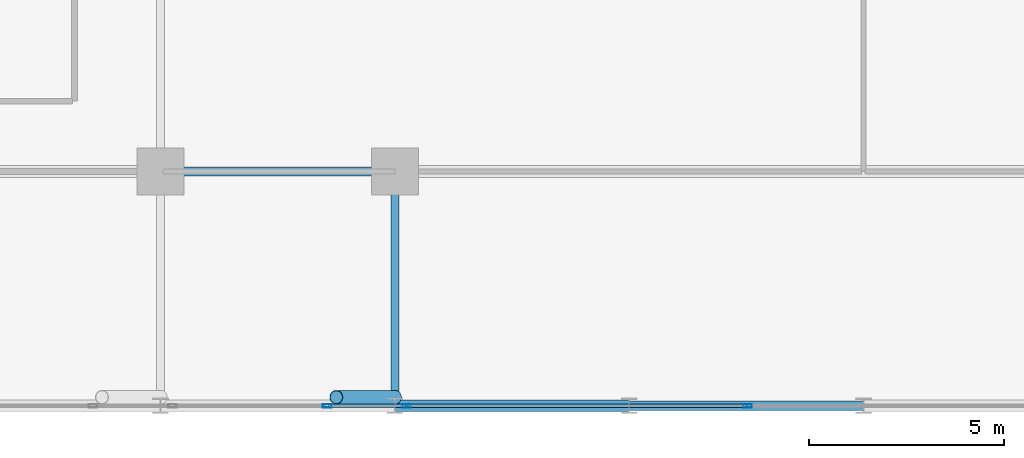
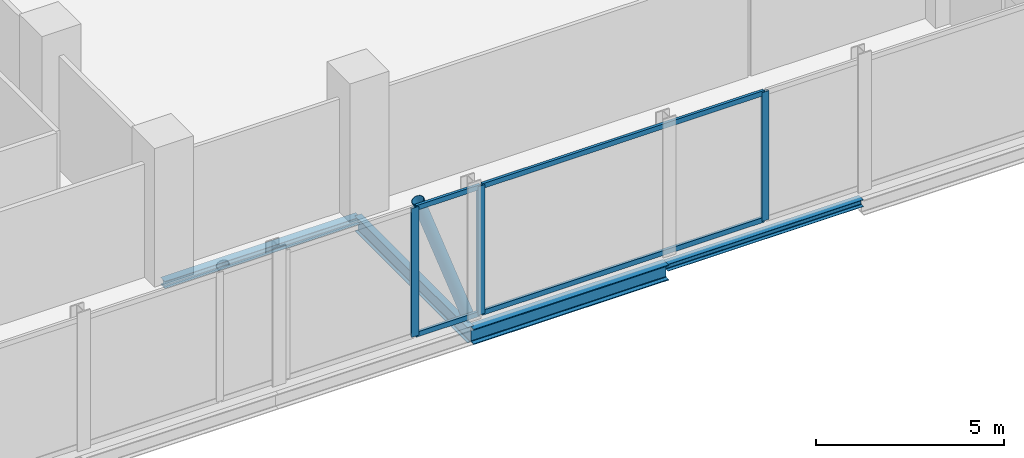
# One storey, part 8 of 30: 8 members, 4 beams, 2 elements without a shape of their own.
"""IFC4 building model written with IfcOpenShell, lengths in metres."""

from ifc_helpers import new_model, si_unit, direction, frame, origin, origin_2d, place, context, subcontext, project, spatial, hollow_rectangle, hollow_circle, i_section, extrude, material, layer, layer_set, material_profile, profile_set, type_object, element, aggregate, save


model = new_model("IFC4")

# Units and contexts
model_context = context("Model", 3, precision=1e-05, world=origin(), true_north=direction((0.0, 1.0)))
body_context = subcontext(model_context, "Body", "Model", "MODEL_VIEW")
ifc_project = project(units=[si_unit("LENGTHUNIT", "METRE"), si_unit("AREAUNIT", "SQUARE_METRE"), si_unit("VOLUMEUNIT", "CUBIC_METRE"), si_unit("PLANEANGLEUNIT", "RADIAN"), si_unit("MASSUNIT", "GRAM", prefix="KILO")], contexts=[model_context])

# Site, building, storey
site_placement = place(None, origin())
site = spatial("IfcSite", under=ifc_project, at=site_placement, CompositionType="ELEMENT")
building_placement = place(site_placement, origin())
building = spatial("IfcBuilding", under=site, at=building_placement, Name="Keshet Zoharim Tower", CompositionType="ELEMENT")
storey_placement = place(building_placement, frame((0.0, 0.0, 65.60009765625)))
storey = spatial("IfcBuildingStorey", under=building, at=storey_placement, Name="L15", CompositionType="ELEMENT", Elevation=65.60009765625)

# Beams
ifc_material_1 = material(Name="Steel S355", Category="steel")
ifc_material_profile_1 = material_profile(ifc_material_1, i_section(OverallWidth=0.239990234375, OverallDepth=0.22998046875, WebThickness=0.007568359375, FlangeThickness=0.011962890625, FilletRadius=0.02099609375, at=origin_2d()), Name="HEA240")
ifc_profile_set_1 = profile_set([ifc_material_profile_1], Name="Steel S355")
beam_type_1 = type_object("IfcBeamType", Name="BM-LNT-HA240", PredefinedType="LINTEL", material=ifc_profile_set_1)
for number, where, z_axis, x_axis, name in (
    (1, (45.0, 0.699951171875, -0.43505859375), (1.0, 0.0, 0.0), (0.0, 1.0, 0.0), "L15 Primary Girder X-004"),
    (2, (33.0, 6.699951171875, -0.43505859375), (1.0, 0.0, 0.0), (0.0, 1.0, 0.0), "L15 Primary Girder X-008"),
):
    element("IfcBeam", number, at=place(storey_placement, frame(where, z_axis=z_axis, x_axis=x_axis)), inside=storey, type_object=beam_type_1, Name=name, PredefinedType="LINTEL", context=body_context, shape_type="SweptSolid", body=[
        extrude(i_section(OverallWidth=0.239990234375, OverallDepth=0.22998046875, WebThickness=0.007568359375, FlangeThickness=0.011962890625, FilletRadius=0.02099609375, at=origin_2d()), origin(), (0.0, 0.0, 1.0), 6.0),
    ])
ifc_material_profile_2 = material_profile(ifc_material_1, i_section(OverallWidth=0.199951171875, OverallDepth=0.5, WebThickness=0.01025390625, FlangeThickness=0.01611328125, FilletRadius=0.02099609375, at=origin_2d()), Name="IPE500")
ifc_profile_set_2 = profile_set([ifc_material_profile_2], Name="Steel S355")
beam_type_2 = type_object("IfcBeamType", Name="BM-PRI-IP500", PredefinedType="BEAM", material=ifc_profile_set_2)
beam_1_placement = place(storey_placement, frame((39.0, 0.699951171875, -0.570068359375), z_axis=(0.0, 1.0, 0.0), x_axis=(-1.0, 0.0, 0.0)))
element("IfcBeam", 3, at=beam_1_placement, inside=storey, type_object=beam_type_2, Name="L15 Primary Girder Y-012", PredefinedType="BEAM", context=body_context, shape_type="SweptSolid", body=[
    extrude(i_section(OverallWidth=0.199951171875, OverallDepth=0.5, WebThickness=0.01025390625, FlangeThickness=0.01611328125, FilletRadius=0.02099609375, at=origin_2d()), origin(), (0.0, 0.0, 1.0), 6.0),
])
ifc_material_profile_3 = material_profile(ifc_material_1, i_section(OverallWidth=0.300048828125, OverallDepth=0.5, WebThickness=0.014404296875, FlangeThickness=0.028076171875, FilletRadius=0.027099609375, at=origin_2d()), Name="HEB500")
ifc_profile_set_3 = profile_set([ifc_material_profile_3], Name="Steel S355")
beam_type_3 = type_object("IfcBeamType", Name="BM-WEB-HB500", PredefinedType="BEAM", material=ifc_profile_set_3)
beam_2_placement = place(storey_placement, frame((39.0, 0.699951171875, -0.570068359375), z_axis=(1.0, 0.0, 0.0), x_axis=(0.0, 1.0, 0.0)))
element("IfcBeam", 4, at=beam_2_placement, inside=storey, type_object=beam_type_3, Name="L15 Primary Girder X-003", PredefinedType="BEAM", context=body_context, shape_type="SweptSolid", body=[
    extrude(i_section(OverallWidth=0.300048828125, OverallDepth=0.5, WebThickness=0.014404296875, FlangeThickness=0.028076171875, FilletRadius=0.027099609375, at=origin_2d()), origin(), (0.0, 0.0, 1.0), 6.0),
])

# Curtain wall, members
ifc_material_2 = material(Name="Aluminium 6063-T6", Category="aluminium")
ifc_layer = layer(ifc_material_2, 0.179931640625)
ifc_layer_set = layer_set([ifc_layer], Name="Aluminium 6063-T6")
curtain_wall_type = type_object("IfcCurtainWallType", Name="CW-SYS-01", PredefinedType="NOTDEFINED", material=ifc_layer_set)
curtain_wall_1_placement = place(storey_placement, origin())
curtain_wall_1 = element("IfcCurtainWall", 5, at=curtain_wall_1_placement, inside=storey, type_object=curtain_wall_type, Name="L15 Unitised Curtain Wall 19", PredefinedType="NOTDEFINED")
ifc_material_profile_4 = material_profile(ifc_material_2, hollow_rectangle(XDim=0.090087890625, YDim=0.219970703125, WallThickness=0.0048828125, at=origin_2d()), Name="MUL-90x220")
ifc_profile_set_4 = profile_set([ifc_material_profile_4], Name="Aluminium 6063-T6")
member_type_1 = type_object("IfcMemberType", Name="CWM-M22", PredefinedType="MULLION", material=ifc_profile_set_4)
member_1_placement = place(storey_placement, frame((48.03515625, 0.699951171875, 0.0), z_axis=(0.0, 0.0, 1.0), x_axis=(0.0, -1.0, 0.0)))
member_1 = element("IfcMember", 6, at=member_1_placement, type_object=member_type_1, Name="CW-01 mullion 2", PredefinedType="MULLION", context=body_context, shape_type="SweptSolid", body=[
    extrude(hollow_rectangle(XDim=0.090087890625, YDim=0.219970703125, WallThickness=0.0048828125, at=origin_2d()), origin(), (0.0, 0.0, 1.0), 4.184814453125),
])
member_2_placement = place(storey_placement, frame((39.302490234375, 0.699951171875, 0.0), z_axis=(0.0, 0.0, 1.0), x_axis=(0.0, -1.0, 0.0)))
member_2 = element("IfcMember", 7, at=member_2_placement, type_object=member_type_1, Name="CW-01 mullion 3", PredefinedType="MULLION", context=body_context, shape_type="SweptSolid", body=[
    extrude(hollow_rectangle(XDim=0.090087890625, YDim=0.219970703125, WallThickness=0.0048828125, at=origin_2d()), origin(), (0.0, 0.0, 1.0), 4.184814453125),
])

# Curtain wall, member
curtain_wall_2_placement = place(storey_placement, origin())
curtain_wall_2 = element("IfcCurtainWall", 8, at=curtain_wall_2_placement, inside=storey, type_object=curtain_wall_type, Name="L15 Unitised Curtain Wall 19 Part 2", PredefinedType="NOTDEFINED")
member_3_placement = place(storey_placement, frame((37.267578125, 0.699951171875, 0.0), z_axis=(0.0, 0.0, 1.0), x_axis=(0.0, -1.0, 0.0)))
member_3 = element("IfcMember", 9, at=member_3_placement, type_object=member_type_1, Name="CW-01 mullion 2", PredefinedType="MULLION", context=body_context, shape_type="SweptSolid", body=[
    extrude(hollow_rectangle(XDim=0.090087890625, YDim=0.219970703125, WallThickness=0.0048828125, at=origin_2d()), origin(), (0.0, 0.0, 1.0), 4.184814453125),
])

# Member
ifc_material_profile_5 = material_profile(ifc_material_2, hollow_rectangle(XDim=0.0849609375, YDim=0.159912109375, WallThickness=0.00439453125, at=origin_2d()), Name="TRN-85x160")
ifc_profile_set_5 = profile_set([ifc_material_profile_5], Name="Aluminium 6063-T6")
member_type_2 = type_object("IfcMemberType", Name="CWT-T16", PredefinedType="USERDEFINED", material=ifc_profile_set_5)
member_4_placement = place(storey_placement, frame((48.000244140625, 0.699951171875, 0.034912109375), z_axis=(-1.0, 0.0, 0.0), x_axis=(0.0, -1.0, 0.0)))
member_4 = element("IfcMember", 10, at=member_4_placement, type_object=member_type_2, Name="CW-01 transom 2.1", ObjectType="TRANSOM", PredefinedType="USERDEFINED", context=body_context, shape_type="SweptSolid", body=[
    extrude(hollow_rectangle(XDim=0.0849609375, YDim=0.159912109375, WallThickness=0.00439453125, at=origin_2d()), origin(), (0.0, 0.0, 1.0), 8.662841796875),
])

member_5_placement = place(storey_placement, frame((48.000244140625, 0.699951171875, 4.14990234375), z_axis=(-1.0, 0.0, 0.0), x_axis=(0.0, -1.0, 0.0)))
member_5 = element("IfcMember", 11, at=member_5_placement, type_object=member_type_2, Name="CW-01 transom 2.2", ObjectType="TRANSOM", PredefinedType="USERDEFINED", context=body_context, shape_type="SweptSolid", body=[
    extrude(hollow_rectangle(XDim=0.0849609375, YDim=0.159912109375, WallThickness=0.00439453125, at=origin_2d()), origin(), (0.0, 0.0, 1.0), 8.662841796875),
])

aggregate(curtain_wall_1, [member_1, member_2, member_4, member_5])

member_6_placement = place(storey_placement, frame((39.267333984375, 0.699951171875, 0.034912109375), z_axis=(-1.0, 0.0, 0.0), x_axis=(0.0, -1.0, 0.0)))
member_6 = element("IfcMember", 12, at=member_6_placement, type_object=member_type_2, Name="CW-01 transom 1.1", ObjectType="TRANSOM", PredefinedType="USERDEFINED", context=body_context, shape_type="SweptSolid", body=[
    extrude(hollow_rectangle(XDim=0.0849609375, YDim=0.159912109375, WallThickness=0.00439453125, at=origin_2d()), origin(), (0.0, 0.0, 1.0), 1.96484375),
])

member_7_placement = place(storey_placement, frame((39.267333984375, 0.699951171875, 4.14990234375), z_axis=(-1.0, 0.0, 0.0), x_axis=(0.0, -1.0, 0.0)))
member_7 = element("IfcMember", 13, at=member_7_placement, type_object=member_type_2, Name="CW-01 transom 1.2", ObjectType="TRANSOM", PredefinedType="USERDEFINED", context=body_context, shape_type="SweptSolid", body=[
    extrude(hollow_rectangle(XDim=0.0849609375, YDim=0.159912109375, WallThickness=0.00439453125, at=origin_2d()), origin(), (0.0, 0.0, 1.0), 1.96484375),
])

aggregate(curtain_wall_2, [member_3, member_6, member_7])

ifc_material_profile_6 = material_profile(ifc_material_1, hollow_circle(Radius=0.177734375, WallThickness=0.012451171875, at=origin_2d()), Name="CHS355x12.5")
ifc_profile_set_6 = profile_set([ifc_material_profile_6], Name="Steel S355")
member_type_3 = type_object("IfcMemberType", Name="MB-BR-C355", PredefinedType="BRACE", material=ifc_profile_set_6)
member_8_placement = place(storey_placement, frame((39.0, 0.919921875, 0.0), z_axis=(-0.337418140419, 0.0, 0.941354873847), x_axis=(0.0, -1.0, 0.0)))
element("IfcMember", 14, at=member_8_placement, inside=storey, type_object=member_type_3, Name="L15 Perimeter Tube Brace 03", PredefinedType="BRACE", context=body_context, shape_type="SweptSolid", body=[
    extrude(hollow_circle(Radius=0.177734375, WallThickness=0.012451171875, at=origin_2d()), origin(), (0.0, 0.0, 1.0), 4.445556640625),
])

save(model, "model.ifc")
